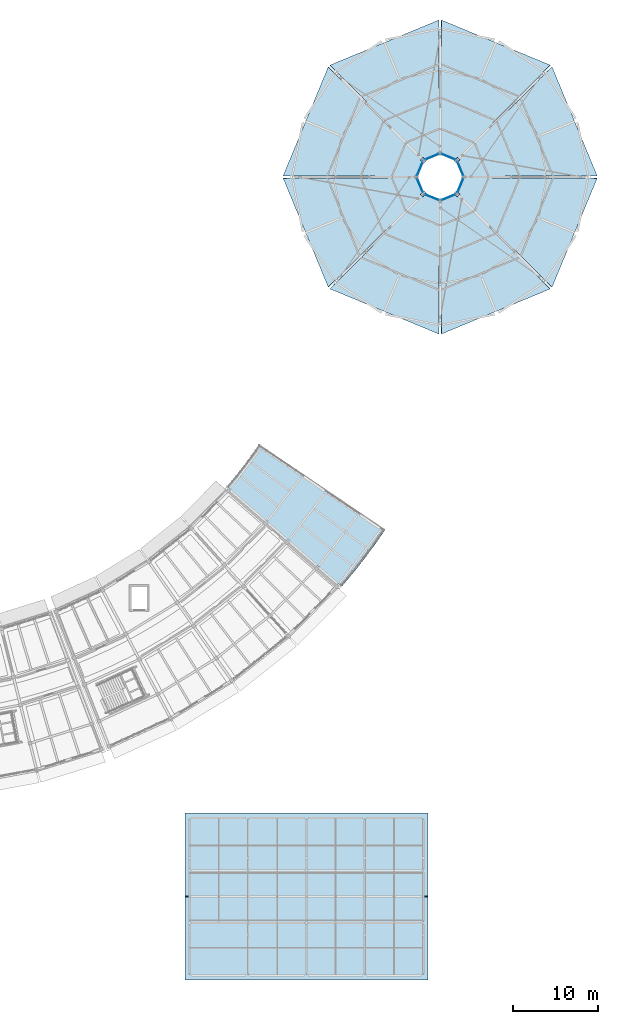
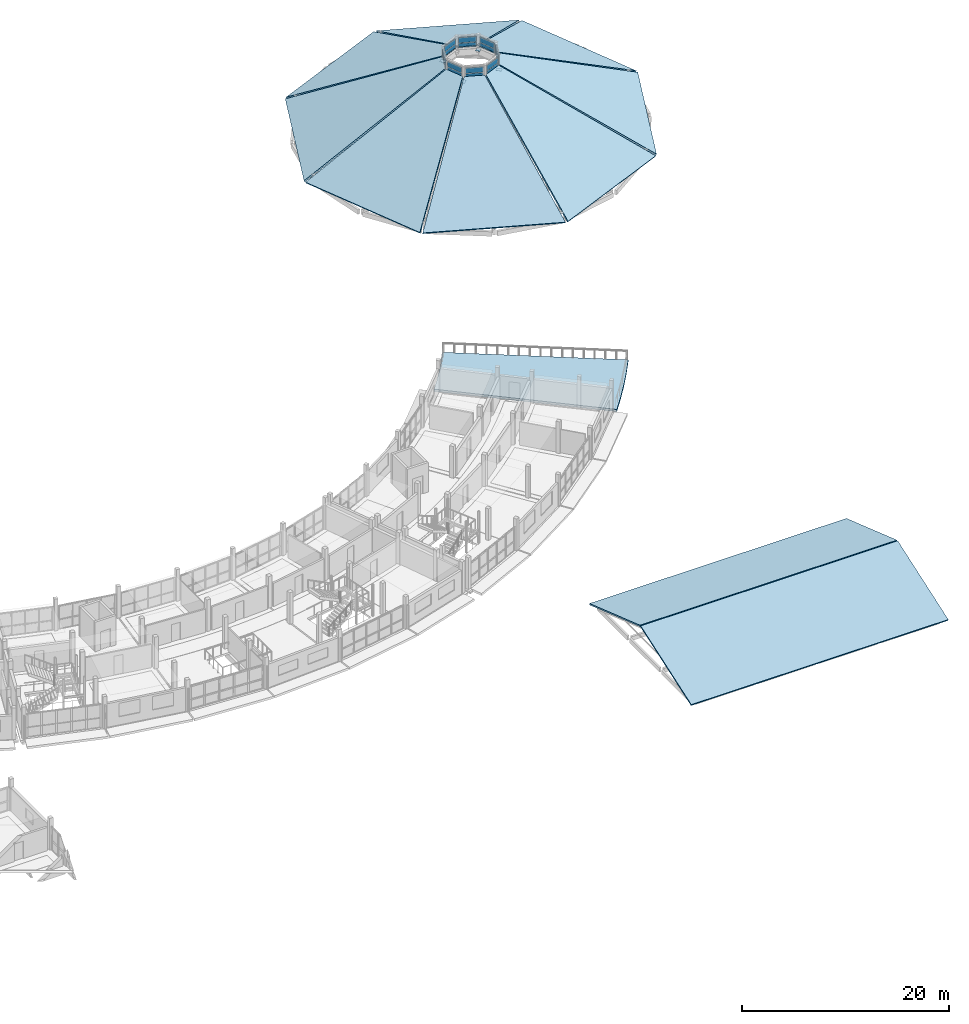
# One storey, part 46 of 66: 20 plates, 11 slabs, 10 elements without a shape of their own.
"""IFC4 building model written with IfcOpenShell, lengths in metres."""

from ifc_helpers import new_model, si_unit, direction, frame, origin, origin_2d, place, context, subcontext, project, spatial, polyline, rectangle, outline, extrude, material, layer, layer_set, type_object, element, aggregate, save


model = new_model("IFC4")

# Units and contexts
model_context = context("Model", 3, precision=1e-05, world=origin(), true_north=direction((0.0, 1.0)))
body_context = subcontext(model_context, "Body", "Model", "MODEL_VIEW")
ifc_project = project(units=[si_unit("LENGTHUNIT", "METRE"), si_unit("AREAUNIT", "SQUARE_METRE"), si_unit("VOLUMEUNIT", "CUBIC_METRE"), si_unit("PLANEANGLEUNIT", "RADIAN"), si_unit("MASSUNIT", "GRAM", prefix="KILO")], contexts=[model_context])

# Site, building, storey
site_placement = place(None, origin())
site = spatial("IfcSite", under=ifc_project, at=site_placement, CompositionType="ELEMENT")
building_placement = place(site_placement, origin())
building = spatial("IfcBuilding", under=site, at=building_placement, Name="Caldaven Crescent School", CompositionType="ELEMENT")
storey_placement = place(building_placement, frame((0.0, 0.0, 8.159912109375)))
storey = spatial("IfcBuildingStorey", under=building, at=storey_placement, Name="L02", CompositionType="ELEMENT", Elevation=8.159912109375)

# Curtain wall, plates
ifc_material_1 = material(Name="Anodised aluminium AA 6063-T6 and low-E double glazing", Category="aluminium")
ifc_layer_1 = layer(ifc_material_1, 0.2099609375)
ifc_layer_set_1 = layer_set([ifc_layer_1], Name="Anodised aluminium AA 6063-T6 and low-E double glazing")
curtain_wall_type_1 = type_object("IfcCurtainWallType", Name="CW-SYS3", PredefinedType="NOTDEFINED", material=ifc_layer_set_1)
curtain_wall_1_placement = place(storey_placement, origin())
curtain_wall_1 = element("IfcCurtainWall", 1, at=curtain_wall_1_placement, inside=storey, type_object=curtain_wall_type_1, Name="CW-L02-033", PredefinedType="NOTDEFINED")
ifc_material_2 = material(Name="Tempered low-E double glazing IGU", Category="glass")
ifc_layer_2 = layer(ifc_material_2, 0.0439453125)
ifc_layer_set_2 = layer_set([ifc_layer_2], Name="Tempered low-E double glazing IGU")
plate_type_1 = type_object("IfcPlateType", Name="PLT-CWP10", PredefinedType="CURTAIN_PANEL", material=ifc_layer_set_2)
plate_1_placement = place(storey_placement, frame((154.889892578125, 99.489990234375, 7.6650390625), z_axis=(0.0, 0.0, 1.0), x_axis=(-0.382682210093, 0.923880038792, 0.0)))
plate_1 = element("IfcPlate", 2, at=plate_1_placement, type_object=plate_type_1, Name="CW3 panel 1.1", PredefinedType="CURTAIN_PANEL", context=body_context, shape_type="SweptSolid", body=[
    extrude(rectangle(XDim=1.72314453125, YDim=0.0439453125, at=origin_2d()), origin(), (0.0, 0.0, 1.0), 0.427490234375),
])
plate_2_placement = place(storey_placement, frame((154.889892578125, 99.489990234375, 8.15771484375), z_axis=(0.0, 0.0, 1.0), x_axis=(-0.382682210093, 0.923880038792, 0.0)))
plate_2 = element("IfcPlate", 3, at=plate_2_placement, type_object=plate_type_1, Name="CW3 panel 1.2", PredefinedType="CURTAIN_PANEL", context=body_context, shape_type="SweptSolid", body=[
    extrude(rectangle(XDim=1.72314453125, YDim=0.0439453125, at=origin_2d()), origin(), (0.0, 0.0, 1.0), 0.62744140625),
])
aggregate(curtain_wall_1, [plate_1, plate_2])

ifc_layer_3 = layer(ifc_material_1, 0.22998046875)
ifc_layer_set_3 = layer_set([ifc_layer_3], Name="Anodised aluminium AA 6063-T6 and low-E double glazing")
curtain_wall_type_2 = type_object("IfcCurtainWallType", Name="CW-SYS4", PredefinedType="NOTDEFINED", material=ifc_layer_set_3)
curtain_wall_2_placement = place(storey_placement, origin())
curtain_wall_2 = element("IfcCurtainWall", 4, at=curtain_wall_2_placement, inside=storey, type_object=curtain_wall_type_2, Name="CW-L02-034", PredefinedType="NOTDEFINED")
ifc_layer_4 = layer(ifc_material_2, 0.0458984375)
ifc_layer_set_4 = layer_set([ifc_layer_4], Name="Tempered low-E double glazing IGU")
plate_type_2 = type_object("IfcPlateType", Name="PLT-CWP11", PredefinedType="CURTAIN_PANEL", material=ifc_layer_set_4)
plate_3_placement = place(storey_placement, frame((153.489990234375, 100.889892578125, 7.6650390625), z_axis=(0.0, 0.0, 1.0), x_axis=(-0.923880038792, 0.382682210093, 0.0)))
plate_3 = element("IfcPlate", 5, at=plate_3_placement, type_object=plate_type_2, Name="CW4 panel 1.1", PredefinedType="CURTAIN_PANEL", context=body_context, shape_type="SweptSolid", body=[
    extrude(rectangle(XDim=1.742919921875, YDim=0.0458984375, at=origin_2d()), origin(), (0.0, 0.0, 1.0), 0.427490234375),
])
plate_4_placement = place(storey_placement, frame((153.489990234375, 100.889892578125, 8.15771484375), z_axis=(0.0, 0.0, 1.0), x_axis=(-0.923880038792, 0.382682210093, 0.0)))
plate_4 = element("IfcPlate", 6, at=plate_4_placement, type_object=plate_type_2, Name="CW4 panel 1.2", PredefinedType="CURTAIN_PANEL", context=body_context, shape_type="SweptSolid", body=[
    extrude(rectangle(XDim=1.742919921875, YDim=0.0458984375, at=origin_2d()), origin(), (0.0, 0.0, 1.0), 0.62744140625),
])
aggregate(curtain_wall_2, [plate_3, plate_4])

ifc_layer_5 = layer(ifc_material_1, 0.169921875)
ifc_layer_set_5 = layer_set([ifc_layer_5], Name="Anodised aluminium AA 6063-T6 and low-E double glazing")
curtain_wall_type_3 = type_object("IfcCurtainWallType", Name="CW-SYS1", PredefinedType="NOTDEFINED", material=ifc_layer_set_5)
curtain_wall_3_placement = place(storey_placement, origin())
curtain_wall_3 = element("IfcCurtainWall", 7, at=curtain_wall_3_placement, inside=storey, type_object=curtain_wall_type_3, Name="CW-L02-035", PredefinedType="NOTDEFINED")
ifc_layer_6 = layer(ifc_material_2, 0.048095703125)
ifc_layer_set_6 = layer_set([ifc_layer_6], Name="Tempered low-E double glazing IGU")
plate_type_3 = type_object("IfcPlateType", Name="PLT-CWP12", PredefinedType="CURTAIN_PANEL", material=ifc_layer_set_6)
plate_5_placement = place(storey_placement, frame((151.510009765625, 100.889892578125, 7.670166015625), z_axis=(0.0, 0.0, 1.0), x_axis=(-0.923880038792, -0.382682210093, 0.0)))
plate_5 = element("IfcPlate", 8, at=plate_5_placement, type_object=plate_type_3, Name="CW1 panel 1.1", PredefinedType="CURTAIN_PANEL", context=body_context, shape_type="SweptSolid", body=[
    extrude(rectangle(XDim=1.733154296875, YDim=0.048095703125, at=origin_2d()), origin(), (0.0, 0.0, 1.0), 0.419921875),
])
plate_6_placement = place(storey_placement, frame((151.510009765625, 100.889892578125, 8.159912109375), z_axis=(0.0, 0.0, 1.0), x_axis=(-0.923880038792, -0.382682210093, 0.0)))
plate_6 = element("IfcPlate", 9, at=plate_6_placement, type_object=plate_type_3, Name="CW1 panel 1.2", PredefinedType="CURTAIN_PANEL", context=body_context, shape_type="SweptSolid", body=[
    extrude(rectangle(XDim=1.733154296875, YDim=0.048095703125, at=origin_2d()), origin(), (0.0, 0.0, 1.0), 0.6201171875),
])
aggregate(curtain_wall_3, [plate_5, plate_6])

ifc_layer_7 = layer(ifc_material_1, 0.18994140625)
ifc_layer_set_7 = layer_set([ifc_layer_7], Name="Anodised aluminium AA 6063-T6 and low-E double glazing")
curtain_wall_type_4 = type_object("IfcCurtainWallType", Name="CW-SYS2", PredefinedType="NOTDEFINED", material=ifc_layer_set_7)
curtain_wall_4_placement = place(storey_placement, origin())
curtain_wall_4 = element("IfcCurtainWall", 10, at=curtain_wall_4_placement, inside=storey, type_object=curtain_wall_type_4, Name="CW-L02-036", PredefinedType="NOTDEFINED")
ifc_layer_8 = layer(ifc_material_2, 0.050048828125)
ifc_layer_set_8 = layer_set([ifc_layer_8], Name="Tempered low-E double glazing IGU")
plate_type_4 = type_object("IfcPlateType", Name="PLT-CWP13", PredefinedType="CURTAIN_PANEL", material=ifc_layer_set_8)
plate_7_placement = place(storey_placement, frame((150.110107421875, 99.489990234375, 7.670166015625), z_axis=(0.0, 0.0, 1.0), x_axis=(-0.382682210093, -0.923880038792, 0.0)))
plate_7 = element("IfcPlate", 11, at=plate_7_placement, type_object=plate_type_4, Name="CW2 panel 1.1", PredefinedType="CURTAIN_PANEL", context=body_context, shape_type="SweptSolid", body=[
    extrude(rectangle(XDim=1.72314453125, YDim=0.050048828125, at=origin_2d()), origin(), (0.0, 0.0, 1.0), 0.419921875),
])
plate_8_placement = place(storey_placement, frame((150.110107421875, 99.489990234375, 8.159912109375), z_axis=(0.0, 0.0, 1.0), x_axis=(-0.382682210093, -0.923880038792, 0.0)))
plate_8 = element("IfcPlate", 12, at=plate_8_placement, type_object=plate_type_4, Name="CW2 panel 1.2", PredefinedType="CURTAIN_PANEL", context=body_context, shape_type="SweptSolid", body=[
    extrude(rectangle(XDim=1.72314453125, YDim=0.050048828125, at=origin_2d()), origin(), (0.0, 0.0, 1.0), 0.6201171875),
])
aggregate(curtain_wall_4, [plate_7, plate_8])

curtain_wall_5_placement = place(storey_placement, origin())
curtain_wall_5 = element("IfcCurtainWall", 13, at=curtain_wall_5_placement, inside=storey, type_object=curtain_wall_type_1, Name="CW-L02-037", PredefinedType="NOTDEFINED")
ifc_layer_9 = layer(ifc_material_2, 0.052001953125)
ifc_layer_set_9 = layer_set([ifc_layer_9], Name="Tempered low-E double glazing IGU")
plate_type_5 = type_object("IfcPlateType", Name="PLT-CWP14", PredefinedType="CURTAIN_PANEL", material=ifc_layer_set_9)
plate_9_placement = place(storey_placement, frame((150.110107421875, 97.510009765625, 7.66015625), z_axis=(0.0, 0.0, 1.0), x_axis=(0.382682210093, -0.923880038792, 0.0)))
plate_9 = element("IfcPlate", 14, at=plate_9_placement, type_object=plate_type_5, Name="CW3 panel 1.1", PredefinedType="CURTAIN_PANEL", context=body_context, shape_type="SweptSolid", body=[
    extrude(rectangle(XDim=1.742919921875, YDim=0.052001953125, at=origin_2d()), origin(), (0.0, 0.0, 1.0), 0.43505859375),
])
plate_10_placement = place(storey_placement, frame((150.110107421875, 97.510009765625, 8.1552734375), z_axis=(0.0, 0.0, 1.0), x_axis=(0.382682210093, -0.923880038792, 0.0)))
plate_10 = element("IfcPlate", 15, at=plate_10_placement, type_object=plate_type_5, Name="CW3 panel 1.2", PredefinedType="CURTAIN_PANEL", context=body_context, shape_type="SweptSolid", body=[
    extrude(rectangle(XDim=1.742919921875, YDim=0.052001953125, at=origin_2d()), origin(), (0.0, 0.0, 1.0), 0.635009765625),
])
aggregate(curtain_wall_5, [plate_9, plate_10])

curtain_wall_6_placement = place(storey_placement, origin())
curtain_wall_6 = element("IfcCurtainWall", 16, at=curtain_wall_6_placement, inside=storey, type_object=curtain_wall_type_2, Name="CW-L02-038", PredefinedType="NOTDEFINED")
ifc_layer_10 = layer(ifc_material_2, 0.053955078125)
ifc_layer_set_10 = layer_set([ifc_layer_10], Name="Tempered low-E double glazing IGU")
plate_type_6 = type_object("IfcPlateType", Name="PLT-CWP15", PredefinedType="CURTAIN_PANEL", material=ifc_layer_set_10)
plate_11_placement = place(storey_placement, frame((151.510009765625, 96.110107421875, 7.66015625), z_axis=(0.0, 0.0, 1.0), x_axis=(0.923880038792, -0.382682210093, 0.0)))
plate_11 = element("IfcPlate", 17, at=plate_11_placement, type_object=plate_type_6, Name="CW4 panel 1.1", PredefinedType="CURTAIN_PANEL", context=body_context, shape_type="SweptSolid", body=[
    extrude(rectangle(XDim=1.733154296875, YDim=0.053955078125, at=origin_2d()), origin(), (0.0, 0.0, 1.0), 0.43505859375),
])
plate_12_placement = place(storey_placement, frame((151.510009765625, 96.110107421875, 8.1552734375), z_axis=(0.0, 0.0, 1.0), x_axis=(0.923880038792, -0.382682210093, 0.0)))
plate_12 = element("IfcPlate", 18, at=plate_12_placement, type_object=plate_type_6, Name="CW4 panel 1.2", PredefinedType="CURTAIN_PANEL", context=body_context, shape_type="SweptSolid", body=[
    extrude(rectangle(XDim=1.733154296875, YDim=0.053955078125, at=origin_2d()), origin(), (0.0, 0.0, 1.0), 0.635009765625),
])
aggregate(curtain_wall_6, [plate_11, plate_12])

curtain_wall_7_placement = place(storey_placement, origin())
curtain_wall_7 = element("IfcCurtainWall", 19, at=curtain_wall_7_placement, inside=storey, type_object=curtain_wall_type_3, Name="CW-L02-039", PredefinedType="NOTDEFINED")
ifc_layer_11 = layer(ifc_material_2, 0.055908203125)
ifc_layer_set_11 = layer_set([ifc_layer_11], Name="Tempered low-E double glazing IGU")
plate_type_7 = type_object("IfcPlateType", Name="PLT-CWP16", PredefinedType="CURTAIN_PANEL", material=ifc_layer_set_11)
plate_13_placement = place(storey_placement, frame((153.489990234375, 96.110107421875, 7.6650390625), z_axis=(0.0, 0.0, 1.0), x_axis=(0.923880038792, 0.382682210093, 0.0)))
plate_13 = element("IfcPlate", 20, at=plate_13_placement, type_object=plate_type_7, Name="CW1 panel 1.1", PredefinedType="CURTAIN_PANEL", context=body_context, shape_type="SweptSolid", body=[
    extrude(rectangle(XDim=1.72314453125, YDim=0.055908203125, at=origin_2d()), origin(), (0.0, 0.0, 1.0), 0.427490234375),
])
plate_14_placement = place(storey_placement, frame((153.489990234375, 96.110107421875, 8.15771484375), z_axis=(0.0, 0.0, 1.0), x_axis=(0.923880038792, 0.382682210093, 0.0)))
plate_14 = element("IfcPlate", 21, at=plate_14_placement, type_object=plate_type_7, Name="CW1 panel 1.2", PredefinedType="CURTAIN_PANEL", context=body_context, shape_type="SweptSolid", body=[
    extrude(rectangle(XDim=1.72314453125, YDim=0.055908203125, at=origin_2d()), origin(), (0.0, 0.0, 1.0), 0.62744140625),
])
aggregate(curtain_wall_7, [plate_13, plate_14])

curtain_wall_8_placement = place(storey_placement, origin())
curtain_wall_8 = element("IfcCurtainWall", 22, at=curtain_wall_8_placement, inside=storey, type_object=curtain_wall_type_4, Name="CW-L02-040", PredefinedType="NOTDEFINED")
ifc_layer_12 = layer(ifc_material_2, 0.05810546875)
ifc_layer_set_12 = layer_set([ifc_layer_12], Name="Tempered low-E double glazing IGU")
plate_type_8 = type_object("IfcPlateType", Name="PLT-CWP17", PredefinedType="CURTAIN_PANEL", material=ifc_layer_set_12)
plate_15_placement = place(storey_placement, frame((154.889892578125, 97.510009765625, 7.6650390625), z_axis=(0.0, 0.0, 1.0), x_axis=(0.382682210093, 0.923880038792, 0.0)))
plate_15 = element("IfcPlate", 23, at=plate_15_placement, type_object=plate_type_8, Name="CW2 panel 1.1", PredefinedType="CURTAIN_PANEL", context=body_context, shape_type="SweptSolid", body=[
    extrude(rectangle(XDim=1.742919921875, YDim=0.05810546875, at=origin_2d()), origin(), (0.0, 0.0, 1.0), 0.427490234375),
])
plate_16_placement = place(storey_placement, frame((154.889892578125, 97.510009765625, 8.15771484375), z_axis=(0.0, 0.0, 1.0), x_axis=(0.382682210093, 0.923880038792, 0.0)))
plate_16 = element("IfcPlate", 24, at=plate_16_placement, type_object=plate_type_8, Name="CW2 panel 1.2", PredefinedType="CURTAIN_PANEL", context=body_context, shape_type="SweptSolid", body=[
    extrude(rectangle(XDim=1.742919921875, YDim=0.05810546875, at=origin_2d()), origin(), (0.0, 0.0, 1.0), 0.62744140625),
])
aggregate(curtain_wall_8, [plate_15, plate_16])

# Plates
ifc_material_3 = material(Name="Steel ASTM A572 Grade 50", Category="steel")
ifc_layer_13 = layer(ifc_material_3, 0.02001953125)
ifc_layer_set_13 = layer_set([ifc_layer_13], Name="Steel ASTM A572 Grade 50")
plate_type_9 = type_object("IfcPlateType", Name="PLT-GUS4", PredefinedType="USERDEFINED", material=ifc_layer_set_13)
for number, where, z_axis, x_axis, name in (
    (25, (154.47998046875, 100.47998046875, 7.2001953125), (0.0, 0.0, 1.0), (0.707106781187, 0.707106781187, 0.0), "GUS-V1-01-RNG"),
    (26, (150.52001953125, 100.47998046875, 7.2001953125), (0.0, 0.0, 1.0), (-0.707106781187, 0.707106781187, 0.0), "GUS-V1-03-RNG"),
    (27, (150.52001953125, 96.52001953125, 7.2001953125), (0.0, 0.0, 1.0), (-0.707106781187, -0.707106781187, 0.0), "GUS-V1-05-RNG"),
    (28, (154.47998046875, 96.52001953125, 7.2001953125), (0.0, 0.0, 1.0), (0.707106781187, -0.707106781187, 0.0), "GUS-V1-07-RNG"),
):
    element("IfcPlate", number, at=place(storey_placement, frame(where, z_axis=z_axis, x_axis=x_axis)), inside=storey, type_object=plate_type_9, Name=name, ObjectType="GUSSET_PLATE", PredefinedType="USERDEFINED", context=body_context, shape_type="SweptSolid", body=[
        extrude(rectangle(XDim=0.60009765625, YDim=0.43994140625, at=origin_2d()), origin(), (0.0, 0.0, 1.0), 0.02001953125),
    ])

# Roof, slabs
roof_1_placement = place(storey_placement, origin())
roof_1 = element("IfcRoof", 29, at=roof_1_placement, inside=storey, Name="ROOF-V1", PredefinedType="PAVILION_ROOF")
ifc_material_4 = material(Name="Cross-laminated timber CLT C24", Category="wood")
ifc_layer_14 = layer(ifc_material_4, 0.179931640625)
ifc_layer_set_14 = layer_set([ifc_layer_14], Name="Cross-laminated timber CLT C24")
slab_type_1 = type_object("IfcSlabType", Name="SLB-RS1", PredefinedType="ROOF", material=ifc_layer_set_14)
slab_1_placement = place(storey_placement, frame((171.04931640625, 98.645751953125, 0.0), z_axis=(0.435790784235, 0.180506297983, 0.8817617982), x_axis=(-0.382675477385, 0.923882827532, -2.52416e-07)))
slab_1 = element("IfcSlab", 30, at=slab_1_placement, type_object=slab_type_1, Name="SLB-RF-V1-00", PredefinedType="ROOF", context=body_context, shape_type="SweptSolid", body=[
    extrude(outline(polyline([(0.0, 0.0), (13.927821448896829, 8.881784197001252e-16), (7.971733581913623, 16.536218473431436), (5.955728552671319, 16.536209941472528), (0.0, 0.0)])), origin(), (0.0, 0.0, -1.0), 0.179931640625),
])
slab_2_placement = place(storey_placement, frame((165.513427734375, 111.719482421875, 0.0), z_axis=(0.180506297983, 0.435790784235, 0.8817617982), x_axis=(-0.923882827532, 0.382675477385, 2.52416e-07)))
slab_2 = element("IfcSlab", 31, at=slab_2_placement, type_object=slab_type_1, Name="SLB-RF-V1-01", PredefinedType="ROOF", context=body_context, shape_type="SweptSolid", body=[
    extrude(outline(polyline([(0.0, 0.0), (13.927821448896829, -8.881784197001252e-16), (7.972092896225511, 16.536209941472528), (5.956087866983206, 16.536218473431436), (0.0, 0.0)])), origin(), (0.0, 0.0, -1.0), 0.179931640625),
])
slab_3_placement = place(storey_placement, frame((152.354248046875, 117.04931640625, 0.0), z_axis=(-0.180506297983, 0.435790784235, 0.8817617982), x_axis=(-0.923882827532, -0.382675477385, -2.52416e-07)))
slab_3 = element("IfcSlab", 32, at=slab_3_placement, type_object=slab_type_1, Name="SLB-RF-V1-02", PredefinedType="ROOF", context=body_context, shape_type="SweptSolid", body=[
    extrude(outline(polyline([(0.0, 0.0), (13.927821448896829, 8.881784197001252e-16), (7.971733581913623, 16.536218473431436), (5.955728552671319, 16.536209941472528), (0.0, 0.0)])), origin(), (0.0, 0.0, -1.0), 0.179931640625),
])
slab_4_placement = place(storey_placement, frame((139.280517578125, 111.513427734375, 0.0), z_axis=(-0.435790784235, 0.180506297983, 0.8817617982), x_axis=(-0.382675477385, -0.923882827532, 2.52416e-07)))
slab_4 = element("IfcSlab", 33, at=slab_4_placement, type_object=slab_type_1, Name="SLB-RF-V1-03", PredefinedType="ROOF", context=body_context, shape_type="SweptSolid", body=[
    extrude(outline(polyline([(0.0, 0.0), (13.927821448896829, -8.881784197001252e-16), (7.972092896225511, 16.536209941472528), (5.956087866983206, 16.536218473431436), (0.0, 0.0)])), origin(), (0.0, 0.0, -1.0), 0.179931640625),
])
slab_5_placement = place(storey_placement, frame((133.95068359375, 98.354248046875, 0.0), z_axis=(-0.435790784235, -0.180506297983, 0.8817617982), x_axis=(0.382675477385, -0.923882827532, -2.52416e-07)))
slab_5 = element("IfcSlab", 34, at=slab_5_placement, type_object=slab_type_1, Name="SLB-RF-V1-04", PredefinedType="ROOF", context=body_context, shape_type="SweptSolid", body=[
    extrude(outline(polyline([(0.0, 0.0), (13.927821448896829, 8.881784197001252e-16), (7.971733581913623, 16.536218473431436), (5.955728552671319, 16.536209941472528), (0.0, 0.0)])), origin(), (0.0, 0.0, -1.0), 0.179931640625),
])
slab_6_placement = place(storey_placement, frame((139.486572265625, 85.280517578125, 0.0), z_axis=(-0.180506297983, -0.435790784235, 0.8817617982), x_axis=(0.923882827532, -0.382675477385, 2.52416e-07)))
slab_6 = element("IfcSlab", 35, at=slab_6_placement, type_object=slab_type_1, Name="SLB-RF-V1-05", PredefinedType="ROOF", context=body_context, shape_type="SweptSolid", body=[
    extrude(outline(polyline([(0.0, 0.0), (13.927821448896829, -8.881784197001252e-16), (7.972092896225511, 16.536209941472528), (5.956087866983206, 16.536218473431436), (0.0, 0.0)])), origin(), (0.0, 0.0, -1.0), 0.179931640625),
])
slab_7_placement = place(storey_placement, frame((152.645751953125, 79.95068359375, 0.0), z_axis=(0.180506297983, -0.435790784235, 0.8817617982), x_axis=(0.923882827532, 0.382675477385, -2.52416e-07)))
slab_7 = element("IfcSlab", 36, at=slab_7_placement, type_object=slab_type_1, Name="SLB-RF-V1-06", PredefinedType="ROOF", context=body_context, shape_type="SweptSolid", body=[
    extrude(outline(polyline([(0.0, 0.0), (13.927821448896829, 8.881784197001252e-16), (7.971733581913623, 16.536218473431436), (5.955728552671319, 16.536209941472528), (0.0, 0.0)])), origin(), (0.0, 0.0, -1.0), 0.179931640625),
])
slab_8_placement = place(storey_placement, frame((165.719482421875, 85.486572265625, 0.0), z_axis=(0.435790784235, -0.180506297983, 0.8817617982), x_axis=(0.382675477385, 0.923882827532, 2.52416e-07)))
slab_8 = element("IfcSlab", 37, at=slab_8_placement, type_object=slab_type_1, Name="SLB-RF-V1-07", PredefinedType="ROOF", context=body_context, shape_type="SweptSolid", body=[
    extrude(outline(polyline([(0.0, 0.0), (13.927821448896829, -8.881784197001252e-16), (7.972092896225511, 16.536209941472528), (5.956087866983206, 16.536218473431436), (0.0, 0.0)])), origin(), (0.0, 0.0, -1.0), 0.179931640625),
])
aggregate(roof_1, [slab_1, slab_2, slab_3, slab_4, slab_5, slab_6, slab_7, slab_8])

roof_2_placement = place(storey_placement, origin())
roof_2 = element("IfcRoof", 38, at=roof_2_placement, inside=storey, Name="ROOF-V3", PredefinedType="GABLE_ROOF")
ifc_layer_15 = layer(ifc_material_4, 0.159912109375)
ifc_layer_set_15 = layer_set([ifc_layer_15], Name="Cross-laminated timber CLT C24")
slab_type_2 = type_object("IfcSlabType", Name="SLB-RS3", PredefinedType="ROOF", material=ifc_layer_set_15)
slab_9_placement = place(storey_placement, frame((122.35009765625, 3.64990234375, -0.189208984375), z_axis=(0.0, -0.32536708846, 0.945587784263), x_axis=(1.0, 0.0, 0.0)))
slab_9 = element("IfcSlab", 39, at=slab_9_placement, type_object=slab_type_2, Name="SLB-RF-V3-S", PredefinedType="ROOF", context=body_context, shape_type="SweptSolid", body=[
    extrude(outline(polyline([(0.0, 0.0), (28.699951171875, 0.0), (28.699951171875, 10.353389950075686), (0.0, 10.353389950075686), (0.0, 0.0)])), origin(), (0.0, 0.0, -1.0), 0.159912109375),
])
slab_10_placement = place(storey_placement, frame((151.050048828125, 23.35009765625, -0.189208984375), z_axis=(0.0, 0.32536708846, 0.945587784263), x_axis=(-1.0, 0.0, 0.0)))
slab_10 = element("IfcSlab", 40, at=slab_10_placement, type_object=slab_type_2, Name="SLB-RF-V3-N", PredefinedType="ROOF", context=body_context, shape_type="SweptSolid", body=[
    extrude(outline(polyline([(0.0, 0.0), (28.699951171875, 0.0), (28.699951171875, 10.353389950075686), (0.0, 10.353389950075686), (0.0, 0.0)])), origin(), (0.0, 0.0, -1.0), 0.159912109375),
])
aggregate(roof_2, [slab_9, slab_10])

# Slab
ifc_layer_16 = layer(ifc_material_4, 0.25)
ifc_layer_set_16 = layer_set([ifc_layer_16], Name="Cross-laminated timber CLT C24")
slab_type_3 = type_object("IfcSlabType", Name="SLB-TS1", PredefinedType="FLOOR", material=ifc_layer_set_16)
slab_11_placement = place(storey_placement, frame((0.0, 0.0, -0.25)))
element("IfcSlab", 41, at=slab_11_placement, inside=storey, type_object=slab_type_3, Name="SLB-PD-L02-E", PredefinedType="FLOOR", context=body_context, shape_type="SweptSolid", body=[
    extrude(outline(polyline([(140.8671875, 50.119140625), (142.229248046875, 51.7373046875), (143.541748046875, 53.395751953125), (144.803466796875, 55.09326171875), (146.013427734375, 56.827880859375), (131.095703125, 66.90087890625), (130.19677734375, 65.612060546875), (129.259521484375, 64.35107421875), (128.28466796875, 63.119140625), (127.27294921875, 61.9169921875), (140.8671875, 50.119140625)])), origin(), (0.0, 0.0, 1.0), 0.25),
])

save(model, "model.ifc")
